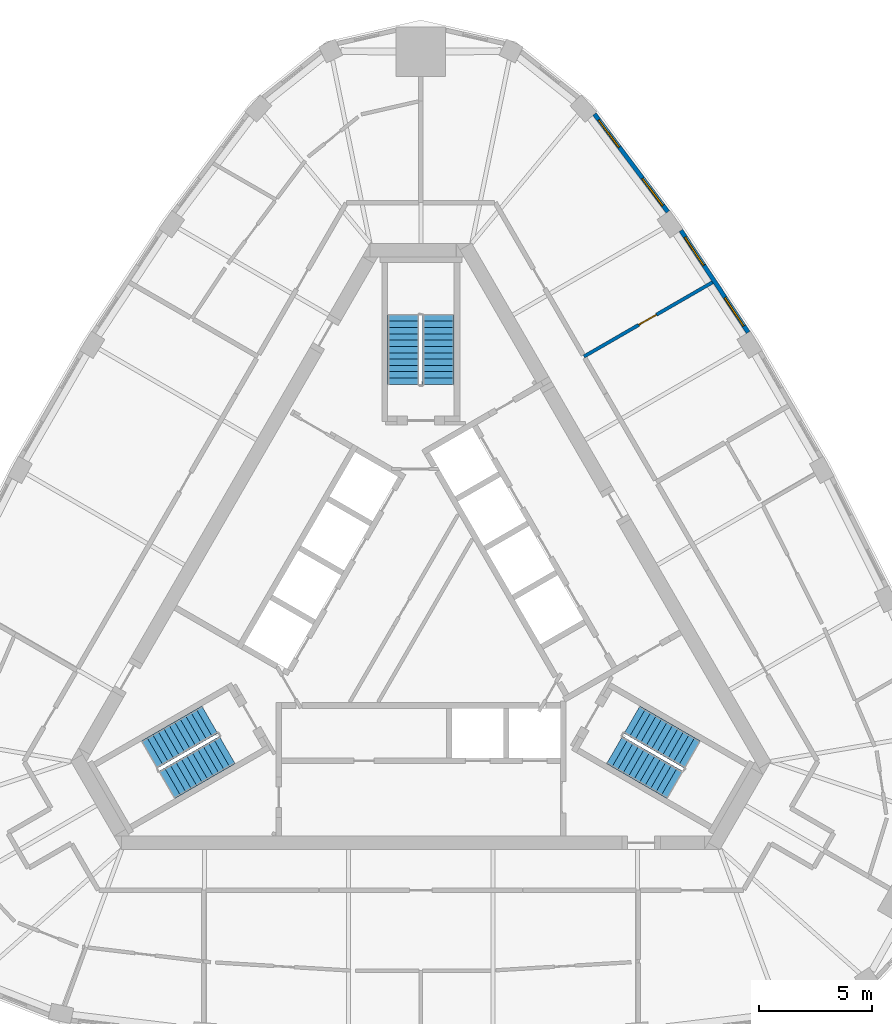
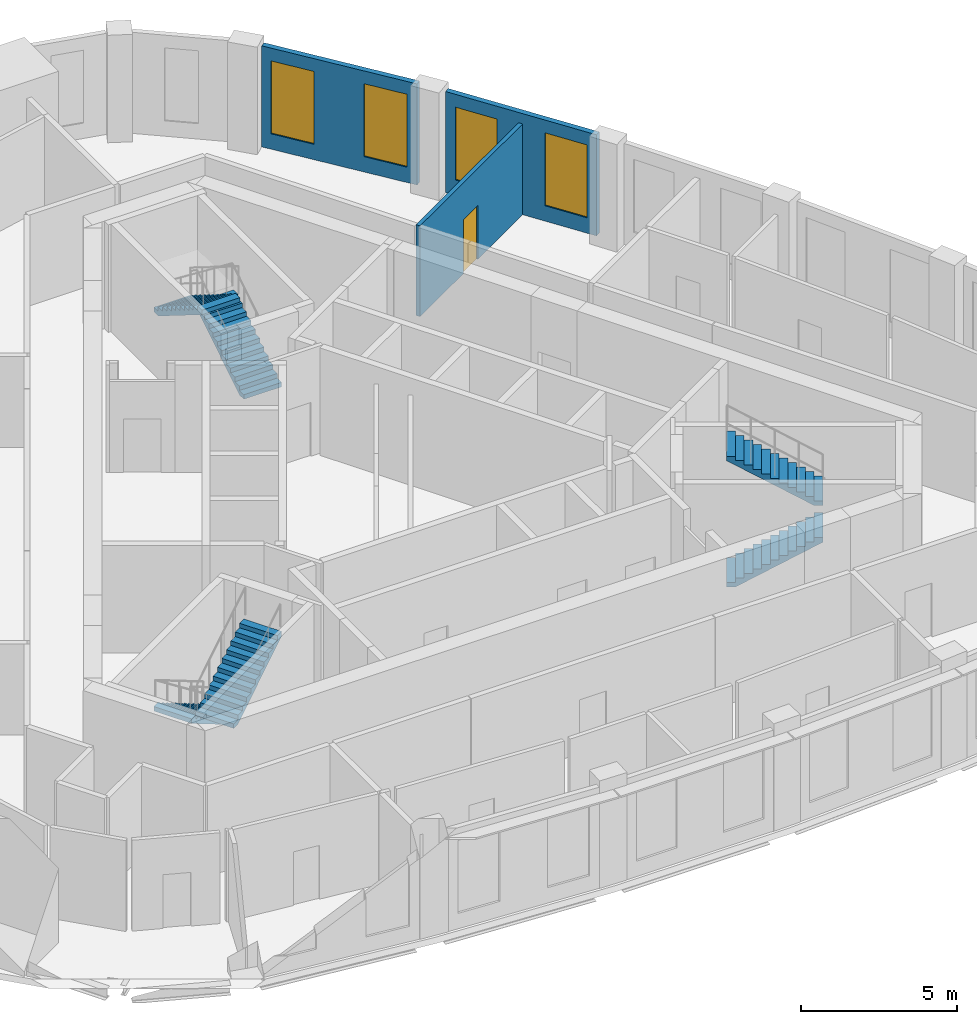
# One storey, part 9 of 10: 6 stair flights, 4 windows, 3 walls, 1 door, 5 openings, 3 elements without a shape of their own.
"""IFC4 building model written with IfcOpenShell, lengths in metres."""

from ifc_helpers import new_model, si_unit, direction, frame, frame_2d, origin, place, context, subcontext, project, spatial, polyline, rectangle, outline, extrude, material, layer, layer_set, type_object, element, fill, aggregate, save


model = new_model("IFC4")

# Units and contexts
model_context = context("Model", 3, precision=1e-05, world=origin(), true_north=direction((0.0, 1.0)))
body_context = subcontext(model_context, "Body", "Model", "MODEL_VIEW")
ifc_project = project(units=[si_unit("LENGTHUNIT", "METRE"), si_unit("AREAUNIT", "SQUARE_METRE"), si_unit("VOLUMEUNIT", "CUBIC_METRE"), si_unit("PLANEANGLEUNIT", "RADIAN"), si_unit("MASSUNIT", "GRAM", prefix="KILO")], contexts=[model_context])

# Site, building, storey
site_placement = place(None, origin())
site = spatial("IfcSite", under=ifc_project, at=site_placement, CompositionType="ELEMENT")
building_placement = place(site_placement, origin())
building = spatial("IfcBuilding", under=site, at=building_placement, Name="Mestral Congress Tower", CompositionType="ELEMENT")
storey_placement = place(building_placement, frame((0.0, 0.0, 304.800048828125)))
storey = spatial("IfcBuildingStorey", under=building, at=storey_placement, Name="L71", CompositionType="ELEMENT", Elevation=304.800048828125)

# Wall, openings, windows
ifc_material_1 = material(Name="Precast concrete C40/50 with limestone facing", Category="masonry")
ifc_layer_1 = layer(ifc_material_1, 0.18994140625)
ifc_layer_set_1 = layer_set([ifc_layer_1], Name="Precast concrete C40/50 with limestone facing")
wall_type_1 = type_object("IfcWallType", Name="Facade stone wall 190", PredefinedType="SOLIDWALL", material=ifc_layer_set_1)
wall_1_placement = place(storey_placement, frame((14.49560546875, 12.6533203125, 0.0), z_axis=(0.0, 0.0, 1.0), x_axis=(-0.550744054781, 0.83467417962, 0.0)))
wall_1 = element("IfcWall", 1, at=wall_1_placement, inside=storey, type_object=wall_type_1, Name="Facade wall F1-03", PredefinedType="SOLIDWALL", context=body_context, shape_type="SweptSolid", body=[
    extrude(rectangle(XDim=5.406005859375, YDim=0.18994140625, at=frame_2d((2.703125, 0.0))), origin(), (0.0, 0.0, 1.0), 3.949951171875),
])
opening_1_placement = place(wall_1_placement, frame((0.346435546875, 0.0, 0.60009765625)))
opening_1 = element("IfcOpeningElement", 2, at=opening_1_placement, cuts=wall_1, Name="Opening W6", PredefinedType="OPENING", context=body_context, shape_type="SweptSolid", body=[
    extrude(rectangle(XDim=1.5, YDim=2.85009765625, at=frame_2d((0.75, 1.425048828125))), frame((0.0, 0.10498046875, 0.0), z_axis=(0.0, -1.0, 0.0), x_axis=(1.0, 0.0, 0.0)), (0.0, 0.0, 1.0), 0.2099609375),
])
opening_2_placement = place(wall_1_placement, frame((3.559326171875, 0.0, 0.60009765625)))
opening_2 = element("IfcOpeningElement", 3, at=opening_2_placement, cuts=wall_1, Name="Opening W6", PredefinedType="OPENING", context=body_context, shape_type="SweptSolid", body=[
    extrude(rectangle(XDim=1.5, YDim=2.85009765625, at=frame_2d((0.75, 1.425048828125))), frame((0.0, 0.10498046875, 0.0), z_axis=(0.0, -1.0, 0.0), x_axis=(1.0, 0.0, 0.0)), (0.0, 0.0, 1.0), 0.2099609375),
])
ifc_material_2 = material(Name="Clear low-emissivity double glazing", Category="glass")
window_type = type_object("IfcWindowType", Name="Facade punched window 1500 x 2850 sill 600", PartitioningType="SINGLE_PANEL", PredefinedType="WINDOW", material=ifc_material_2)
window_1_placement = place(opening_1_placement, origin())
window_1 = element("IfcWindow", 4, at=window_1_placement, inside=storey, type_object=window_type, Name="Window F1-03a", OverallHeight=2.85009765625, OverallWidth=1.5, PartitioningType="SINGLE_PANEL", PredefinedType="WINDOW", context=body_context, shape_type="SweptSolid", body=[
    extrude(rectangle(XDim=1.5, YDim=2.85009765625, at=frame_2d((0.75, 1.425048828125))), frame((0.0, 0.044921875, 0.0), z_axis=(0.0, -1.0, 0.0), x_axis=(1.0, 0.0, 0.0)), (0.0, 0.0, 1.0), 0.06005859375),
])
fill(opening_1, window_1)
window_2_placement = place(opening_2_placement, origin())
window_2 = element("IfcWindow", 5, at=window_2_placement, inside=storey, type_object=window_type, Name="Window F1-03b", OverallHeight=2.85009765625, OverallWidth=1.5, PartitioningType="SINGLE_PANEL", PredefinedType="WINDOW", context=body_context, shape_type="SweptSolid", body=[
    extrude(rectangle(XDim=1.5, YDim=2.85009765625, at=frame_2d((0.75, 1.425048828125))), frame((0.0, 0.044921875, 0.0), z_axis=(0.0, -1.0, 0.0), x_axis=(1.0, 0.0, 0.0)), (0.0, 0.0, 1.0), 0.06005859375),
])
fill(opening_2, window_2)

wall_2_placement = place(storey_placement, frame((10.938232421875, 17.989990234375, 0.0), z_axis=(0.0, 0.0, 1.0), x_axis=(-0.599559865294, 0.800329911929, 0.0)))
wall_2 = element("IfcWall", 6, at=wall_2_placement, inside=storey, type_object=wall_type_1, Name="Facade wall F1-04", PredefinedType="SOLIDWALL", context=body_context, shape_type="SweptSolid", body=[
    extrude(rectangle(XDim=5.4150390625, YDim=0.18994140625, at=frame_2d((2.70751953125, 0.0))), origin(), (0.0, 0.0, 1.0), 3.949951171875),
])
opening_3_placement = place(wall_2_placement, frame((0.357666015625, 0.0, 0.60009765625)))
opening_3 = element("IfcOpeningElement", 7, at=opening_3_placement, cuts=wall_2, Name="Opening W6", PredefinedType="OPENING", context=body_context, shape_type="SweptSolid", body=[
    extrude(rectangle(XDim=1.5, YDim=2.85009765625, at=frame_2d((0.75, 1.425048828125))), frame((0.0, 0.10498046875, 0.0), z_axis=(0.0, -1.0, 0.0), x_axis=(1.0, 0.0, 0.0)), (0.0, 0.0, 1.0), 0.2099609375),
])
opening_4_placement = place(wall_2_placement, frame((3.592529296875, 0.0, 0.60009765625)))
opening_4 = element("IfcOpeningElement", 8, at=opening_4_placement, cuts=wall_2, Name="Opening W6", PredefinedType="OPENING", context=body_context, shape_type="SweptSolid", body=[
    extrude(rectangle(XDim=1.5, YDim=2.85009765625, at=frame_2d((0.75, 1.425048828125))), frame((0.0, 0.10498046875, 0.0), z_axis=(0.0, -1.0, 0.0), x_axis=(1.0, 0.0, 0.0)), (0.0, 0.0, 1.0), 0.2099609375),
])
window_3_placement = place(opening_3_placement, origin())
window_3 = element("IfcWindow", 9, at=window_3_placement, inside=storey, type_object=window_type, Name="Window F1-04a", OverallHeight=2.85009765625, OverallWidth=1.5, PartitioningType="SINGLE_PANEL", PredefinedType="WINDOW", context=body_context, shape_type="SweptSolid", body=[
    extrude(rectangle(XDim=1.5, YDim=2.85009765625, at=frame_2d((0.75, 1.425048828125))), frame((0.0, 0.044921875, 0.0), z_axis=(0.0, -1.0, 0.0), x_axis=(1.0, 0.0, 0.0)), (0.0, 0.0, 1.0), 0.06005859375),
])
fill(opening_3, window_3)
window_4_placement = place(opening_4_placement, origin())
window_4 = element("IfcWindow", 10, at=window_4_placement, inside=storey, type_object=window_type, Name="Window F1-04b", OverallHeight=2.85009765625, OverallWidth=1.5, PartitioningType="SINGLE_PANEL", PredefinedType="WINDOW", context=body_context, shape_type="SweptSolid", body=[
    extrude(rectangle(XDim=1.5, YDim=2.85009765625, at=frame_2d((0.75, 1.425048828125))), frame((0.0, 0.044921875, 0.0), z_axis=(0.0, -1.0, 0.0), x_axis=(1.0, 0.0, 0.0)), (0.0, 0.0, 1.0), 0.06005859375),
])
fill(opening_4, window_4)

# Wall, opening, door
ifc_material_3 = material(Name="Plasterboard partition on steel studs", Category="steel")
ifc_layer_2 = layer(ifc_material_3, 0.14990234375)
ifc_layer_set_2 = layer_set([ifc_layer_2], Name="Plasterboard partition on steel studs")
wall_type_2 = type_object("IfcWallType", Name="Office partition 150", PredefinedType="PARTITIONING", material=ifc_layer_set_2)
wall_3_placement = place(storey_placement, frame((12.91796875, 14.87158203125, 0.0), z_axis=(0.0, 0.0, 1.0), x_axis=(-0.866033427365, -0.499986102494, 0.0)))
wall_3 = element("IfcWall", 11, at=wall_3_placement, inside=storey, type_object=wall_type_2, Name="Partition", PredefinedType="PARTITIONING", context=body_context, shape_type="SweptSolid", body=[
    extrude(rectangle(XDim=6.572998046875, YDim=0.14990234375, at=frame_2d((3.28662109375, 0.0))), origin(), (0.0, 0.0, 1.0), 3.550048828125),
])
opening_5_placement = place(wall_3_placement, frame((2.873046875, 0.0, 0.0)))
opening_5 = element("IfcOpeningElement", 12, at=opening_5_placement, cuts=wall_3, Name="Opening O14-009", PredefinedType="OPENING", context=body_context, shape_type="SweptSolid", body=[
    extrude(rectangle(XDim=0.89990234375, YDim=2.10009765625, at=frame_2d((0.449951171875, 1.050048828125))), frame((0.0, 0.0849609375, 0.0), z_axis=(0.0, -1.0, 0.0), x_axis=(1.0, 0.0, 0.0)), (0.0, 0.0, 1.0), 0.169921875),
])
ifc_material_4 = material(Name="Timber door set", Category="wood")
door_type = type_object("IfcDoorType", Name="Office door 900x2100", OperationType="SINGLE_SWING_LEFT", PredefinedType="DOOR", material=ifc_material_4)
door_placement = place(opening_5_placement, origin())
door = element("IfcDoor", 13, at=door_placement, inside=storey, type_object=door_type, Name="Door O14-009", OperationType="SINGLE_SWING_RIGHT", OverallHeight=2.10009765625, OverallWidth=0.89990234375, PredefinedType="DOOR", context=body_context, shape_type="SweptSolid", body=[
    extrude(rectangle(XDim=0.89990234375, YDim=2.10009765625, at=frame_2d((0.449951171875, 1.050048828125))), frame((0.0, 0.02490234375, 0.0), z_axis=(0.0, -1.0, 0.0), x_axis=(1.0, 0.0, 0.0)), (0.0, 0.0, 1.0), 0.050048828125),
])
fill(opening_5, door)

# Stair, stair flights
ifc_material_5 = material(Name="Concrete C60/75", Category="concrete")
stair_type = type_object("IfcStairType", Name="Exit stair 1400", PredefinedType="HALF_TURN_STAIR", material=ifc_material_5)
placement = place(storey_placement, origin())
stair_1 = element("IfcStair", 14, at=placement, inside=storey, type_object=stair_type, Name="L71 ST1", PredefinedType="HALF_TURN_STAIR")
stair_flight_type = type_object("IfcStairFlightType", Name="Exit stair flight 1400", PredefinedType="STRAIGHT", material=ifc_material_5)
stair_flight_1_placement = place(storey_placement, frame((8.575927734375, -5.84619140625, 0.0), z_axis=(0.0, 0.0, 1.0), x_axis=(0.866025403784, -0.5, 0.0)))
stair_flight_1 = element("IfcStairFlight", 15, at=stair_flight_1_placement, type_object=stair_flight_type, Name="ST1 flight 1", NumberOfRisers=12, NumberOfTreads=11, PredefinedType="STRAIGHT", RiserHeight=0.175, TreadLength=0.28, context=body_context, shape_type="SweptSolid", body=[
    extrude(outline(polyline([(0.0, 0.0), (0.0, 0.175048828125), (0.280029296875, 0.175048828125), (0.280029296875, 0.35009765625), (0.56005859375, 0.35009765625), (0.56005859375, 0.52490234375), (0.840087890625, 0.52490234375), (0.840087890625, 0.699951171875), (1.1201171875, 0.699951171875), (1.1201171875, 0.875), (1.39990234375, 0.875), (1.39990234375, 1.050048828125), (1.679931640625, 1.050048828125), (1.679931640625, 1.22509765625), (1.9599609375, 1.22509765625), (1.9599609375, 1.39990234375), (2.239990234375, 1.39990234375), (2.239990234375, 1.574951171875), (2.52001953125, 1.574951171875), (2.52001953125, 1.75), (2.800048828125, 1.75), (2.800048828125, 1.925048828125), (3.080078125, 1.925048828125), (3.080078125, 2.10009765625), (3.080078125, 1.748291015625), (0.28271484375, 0.0), (0.0, 0.0)])), frame((0.0, 0.699951171875, 0.0), z_axis=(0.0, -1.0, 0.0), x_axis=(1.0, 0.0, 0.0)), (0.0, 0.0, 1.0), 1.39990234375),
])
stair_flight_2_placement = place(storey_placement, frame((12.018310546875, -6.0439453125, 2.099853515625), z_axis=(0.0, 0.0, 1.0), x_axis=(-0.866025403784, 0.5, 0.0)))
stair_flight_2 = element("IfcStairFlight", 16, at=stair_flight_2_placement, type_object=stair_flight_type, Name="ST1 flight 2", NumberOfRisers=12, NumberOfTreads=11, PredefinedType="STRAIGHT", RiserHeight=0.175, TreadLength=0.28, context=body_context, shape_type="SweptSolid", body=[
    extrude(outline(polyline([(0.0, 0.0), (0.0, 0.175048828125), (0.280029296875, 0.175048828125), (0.280029296875, 0.35009765625), (0.56005859375, 0.35009765625), (0.56005859375, 0.52490234375), (0.840087890625, 0.52490234375), (0.840087890625, 0.699951171875), (1.1201171875, 0.699951171875), (1.1201171875, 0.875), (1.39990234375, 0.875), (1.39990234375, 1.050048828125), (1.679931640625, 1.050048828125), (1.679931640625, 1.22509765625), (1.9599609375, 1.22509765625), (1.9599609375, 1.39990234375), (2.239990234375, 1.39990234375), (2.239990234375, 1.574951171875), (2.52001953125, 1.574951171875), (2.52001953125, 1.75), (2.800048828125, 1.75), (2.800048828125, 1.925048828125), (3.080078125, 1.925048828125), (3.080078125, 2.10009765625), (3.080078125, 1.748291015625), (0.28271484375, 0.0), (0.0, 0.0)])), frame((0.0, 0.699951171875, 0.0), z_axis=(0.0, -1.0, 0.0), x_axis=(1.0, 0.0, 0.0)), (0.0, 0.0, 1.0), 1.39990234375),
])
aggregate(stair_1, [stair_flight_1, stair_flight_2])

stair_2 = element("IfcStair", 17, at=placement, inside=storey, type_object=stair_type, Name="L71 ST2", PredefinedType="HALF_TURN_STAIR")
stair_flight_3_placement = place(storey_placement, frame((0.77490234375, 10.35009765625, 0.0), z_axis=(0.0, 0.0, 1.0), x_axis=(0.0, 1.0, 0.0)))
stair_flight_3 = element("IfcStairFlight", 18, at=stair_flight_3_placement, type_object=stair_flight_type, Name="ST2 flight 1", NumberOfRisers=12, NumberOfTreads=11, PredefinedType="STRAIGHT", RiserHeight=0.175, TreadLength=0.28, context=body_context, shape_type="SweptSolid", body=[
    extrude(outline(polyline([(0.0, 0.0), (0.0, 0.175048828125), (0.280029296875, 0.175048828125), (0.280029296875, 0.35009765625), (0.56005859375, 0.35009765625), (0.56005859375, 0.52490234375), (0.840087890625, 0.52490234375), (0.840087890625, 0.699951171875), (1.1201171875, 0.699951171875), (1.1201171875, 0.875), (1.39990234375, 0.875), (1.39990234375, 1.050048828125), (1.679931640625, 1.050048828125), (1.679931640625, 1.22509765625), (1.9599609375, 1.22509765625), (1.9599609375, 1.39990234375), (2.239990234375, 1.39990234375), (2.239990234375, 1.574951171875), (2.52001953125, 1.574951171875), (2.52001953125, 1.75), (2.800048828125, 1.75), (2.800048828125, 1.925048828125), (3.080078125, 1.925048828125), (3.080078125, 2.10009765625), (3.080078125, 1.748291015625), (0.28271484375, 0.0), (0.0, 0.0)])), frame((0.0, 0.699951171875, 0.0), z_axis=(0.0, -1.0, 0.0), x_axis=(1.0, 0.0, 0.0)), (0.0, 0.0, 1.0), 1.39990234375),
])
stair_flight_4_placement = place(storey_placement, frame((-0.77490234375, 13.429931640625, 2.099853515625), z_axis=(0.0, 0.0, 1.0), x_axis=(0.0, -1.0, 0.0)))
stair_flight_4 = element("IfcStairFlight", 19, at=stair_flight_4_placement, type_object=stair_flight_type, Name="ST2 flight 2", NumberOfRisers=12, NumberOfTreads=11, PredefinedType="STRAIGHT", RiserHeight=0.175, TreadLength=0.28, context=body_context, shape_type="SweptSolid", body=[
    extrude(outline(polyline([(0.0, 0.0), (0.0, 0.175048828125), (0.280029296875, 0.175048828125), (0.280029296875, 0.35009765625), (0.56005859375, 0.35009765625), (0.56005859375, 0.52490234375), (0.840087890625, 0.52490234375), (0.840087890625, 0.699951171875), (1.1201171875, 0.699951171875), (1.1201171875, 0.875), (1.39990234375, 0.875), (1.39990234375, 1.050048828125), (1.679931640625, 1.050048828125), (1.679931640625, 1.22509765625), (1.9599609375, 1.22509765625), (1.9599609375, 1.39990234375), (2.239990234375, 1.39990234375), (2.239990234375, 1.574951171875), (2.52001953125, 1.574951171875), (2.52001953125, 1.75), (2.800048828125, 1.75), (2.800048828125, 1.925048828125), (3.080078125, 1.925048828125), (3.080078125, 2.10009765625), (3.080078125, 1.748291015625), (0.28271484375, 0.0), (0.0, 0.0)])), frame((0.0, 0.699951171875, 0.0), z_axis=(0.0, -1.0, 0.0), x_axis=(1.0, 0.0, 0.0)), (0.0, 0.0, 1.0), 1.39990234375),
])
aggregate(stair_2, [stair_flight_3, stair_flight_4])

stair_3 = element("IfcStair", 20, at=placement, inside=storey, type_object=stair_type, Name="L71 ST3", PredefinedType="HALF_TURN_STAIR")
stair_flight_5_placement = place(storey_placement, frame((-9.350830078125, -4.50390625, 0.0), z_axis=(0.0, 0.0, 1.0), x_axis=(-0.866025403784, -0.5, 0.0)))
stair_flight_5 = element("IfcStairFlight", 21, at=stair_flight_5_placement, type_object=stair_flight_type, Name="ST3 flight 1", NumberOfRisers=12, NumberOfTreads=11, PredefinedType="STRAIGHT", RiserHeight=0.175, TreadLength=0.28, context=body_context, shape_type="SweptSolid", body=[
    extrude(outline(polyline([(0.0, 0.0), (0.0, 0.175048828125), (0.280029296875, 0.175048828125), (0.280029296875, 0.35009765625), (0.56005859375, 0.35009765625), (0.56005859375, 0.52490234375), (0.840087890625, 0.52490234375), (0.840087890625, 0.699951171875), (1.1201171875, 0.699951171875), (1.1201171875, 0.875), (1.39990234375, 0.875), (1.39990234375, 1.050048828125), (1.679931640625, 1.050048828125), (1.679931640625, 1.22509765625), (1.9599609375, 1.22509765625), (1.9599609375, 1.39990234375), (2.239990234375, 1.39990234375), (2.239990234375, 1.574951171875), (2.52001953125, 1.574951171875), (2.52001953125, 1.75), (2.800048828125, 1.75), (2.800048828125, 1.925048828125), (3.080078125, 1.925048828125), (3.080078125, 2.10009765625), (3.080078125, 1.748291015625), (0.28271484375, 0.0), (0.0, 0.0)])), frame((0.0, 0.699951171875, 0.0), z_axis=(0.0, -1.0, 0.0), x_axis=(1.0, 0.0, 0.0)), (0.0, 0.0, 1.0), 1.39990234375),
])
stair_flight_6_placement = place(storey_placement, frame((-11.2431640625, -7.38623046875, 2.099853515625), z_axis=(0.0, 0.0, 1.0), x_axis=(0.866025403784, 0.5, 0.0)))
stair_flight_6 = element("IfcStairFlight", 22, at=stair_flight_6_placement, type_object=stair_flight_type, Name="ST3 flight 2", NumberOfRisers=12, NumberOfTreads=11, PredefinedType="STRAIGHT", RiserHeight=0.175, TreadLength=0.28, context=body_context, shape_type="SweptSolid", body=[
    extrude(outline(polyline([(0.0, 0.0), (0.0, 0.175048828125), (0.280029296875, 0.175048828125), (0.280029296875, 0.35009765625), (0.56005859375, 0.35009765625), (0.56005859375, 0.52490234375), (0.840087890625, 0.52490234375), (0.840087890625, 0.699951171875), (1.1201171875, 0.699951171875), (1.1201171875, 0.875), (1.39990234375, 0.875), (1.39990234375, 1.050048828125), (1.679931640625, 1.050048828125), (1.679931640625, 1.22509765625), (1.9599609375, 1.22509765625), (1.9599609375, 1.39990234375), (2.239990234375, 1.39990234375), (2.239990234375, 1.574951171875), (2.52001953125, 1.574951171875), (2.52001953125, 1.75), (2.800048828125, 1.75), (2.800048828125, 1.925048828125), (3.080078125, 1.925048828125), (3.080078125, 2.10009765625), (3.080078125, 1.748291015625), (0.28271484375, 0.0), (0.0, 0.0)])), frame((0.0, 0.699951171875, 0.0), z_axis=(0.0, -1.0, 0.0), x_axis=(1.0, 0.0, 0.0)), (0.0, 0.0, 1.0), 1.39990234375),
])
aggregate(stair_3, [stair_flight_5, stair_flight_6])

save(model, "model.ifc")
